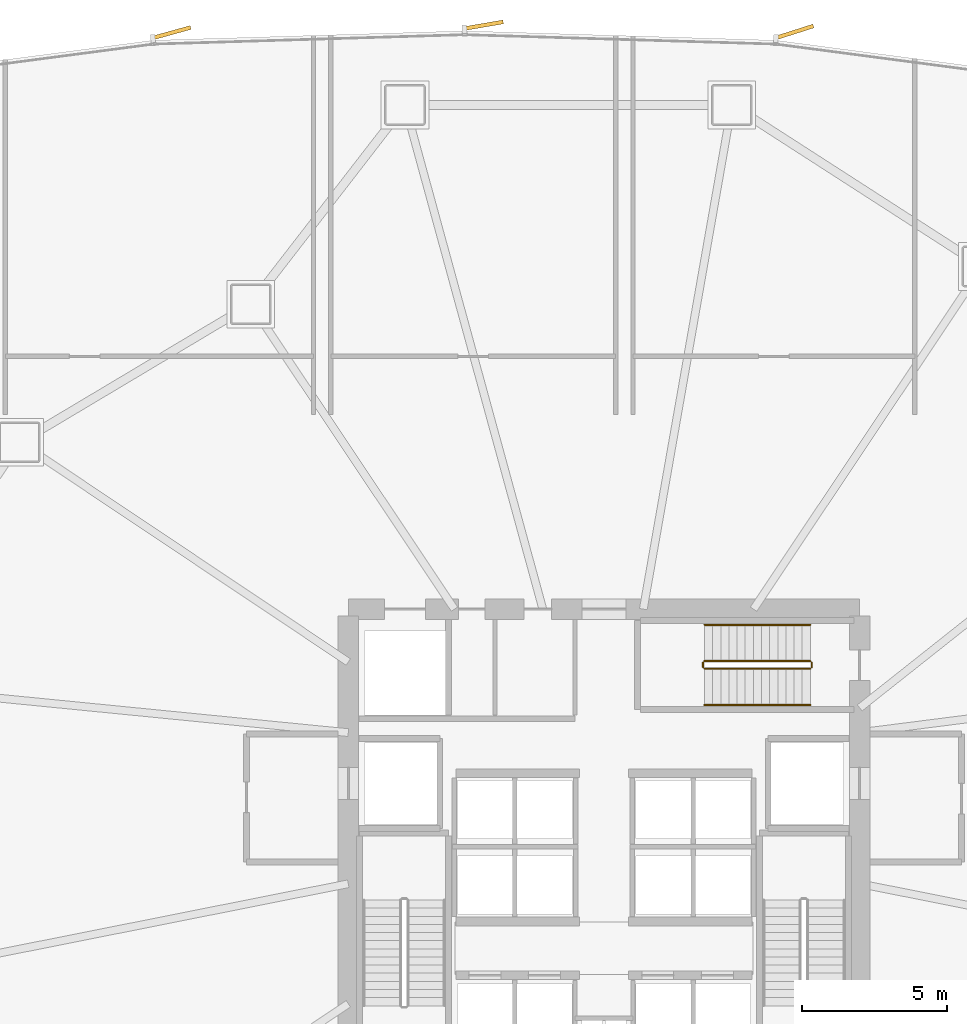
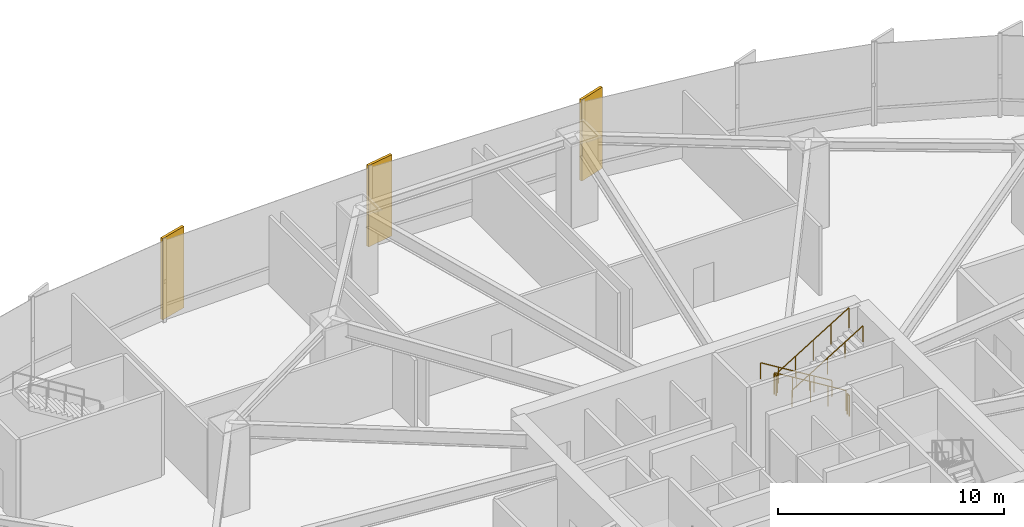
# One storey, part 33 of 34: 6 railings, 3 coverings.
"""IFC4 building model written with IfcOpenShell, lengths in metres."""

import ifcopenshell
import ifcopenshell.guid

model = None  # the IFC model being written
_history = None  # IfcOwnerHistory: only IFC2X3 demands one
_inside = {}  # id of a spatial element -> (the spatial element, [elements in it])
_under = {}  # id of a project, library or spatial element -> (it, [spatial elements below it])
_declared = {}  # id of a project -> (the project, [libraries it declares])
_typed = {}  # id of a type object -> (the type object, [elements of that type])
_made_of = {}  # id of a material, layer set ... -> (it, [elements and type objects made of it])


def new_model(schema):
    """Start an empty IFC model of exactly this schema.

    Asked for "IFC4X3", IfcOpenShell would pick the latest addendum, in which some entities
    have other attributes; the version numbers below select the first issue.
    IFC2X3 requires an IfcOwnerHistory on every rooted entity: one is made here for all.
    """
    global model, _history
    if schema == "IFC4X3":
        model = ifcopenshell.file(schema_version=(4, 3, 0, 0))
    else:
        model = ifcopenshell.file(schema=schema)
    _inside.clear()
    _under.clear()
    _declared.clear()
    _typed.clear()
    _made_of.clear()
    _history = None
    if model.schema == "IFC2X3":
        org = make("IfcOrganization", Name="unknown")
        user = make(
            "IfcPersonAndOrganization",
            ThePerson=make("IfcPerson", FamilyName="unknown"),
            TheOrganization=org,
        )
        app = make(
            "IfcApplication",
            ApplicationDeveloper=org,
            Version="unknown",
            ApplicationFullName="unknown",
            ApplicationIdentifier="unknown",
        )
        _history = make(
            "IfcOwnerHistory",
            OwningUser=user,
            OwningApplication=app,
            ChangeAction="ADDED",
            CreationDate=0,
        )
    return model


def make(cls, **values):
    """One entity of the class cls with the attributes given. An attribute that is None is left unset."""
    return model.create_entity(
        cls, **{name: value for name, value in values.items() if value is not None}
    )


def rooted(cls, **values):
    """An entity with a GlobalId (a new one), such as an element, a storey or a relation."""
    return make(cls, GlobalId=ifcopenshell.guid.new(), OwnerHistory=_history, **values)


def si_unit(unit_type, name, prefix=None):
    """IfcSIUnit, for example si_unit("LENGTHUNIT", "METRE", prefix="MILLI")."""
    return make("IfcSIUnit", UnitType=unit_type, Prefix=prefix, Name=name)


def assignment(units):
    """IfcUnitAssignment: the units of a project."""
    return None if units is None else make("IfcUnitAssignment", Units=units)


def point(xyz):
    """IfcCartesianPoint."""
    return None if xyz is None else make("IfcCartesianPoint", Coordinates=xyz)


def direction(xyz):
    """IfcDirection."""
    return None if xyz is None else make("IfcDirection", DirectionRatios=xyz)


def frame(location, z_axis=None, x_axis=None):
    """IfcAxis2Placement3D, a coordinate frame: its origin and axes. An axis left out is left unset."""
    return make(
        "IfcAxis2Placement3D",
        Location=point(location),
        Axis=direction(z_axis),
        RefDirection=direction(x_axis),
    )


def frame_2d(location, x_axis=None):
    """IfcAxis2Placement2D, a coordinate frame in the plane: its origin and x axis."""
    return make(
        "IfcAxis2Placement2D", Location=point(location), RefDirection=direction(x_axis)
    )


def origin():
    """The frame at (0, 0, 0) with its axes left unset."""
    return frame((0.0, 0.0, 0.0))


def origin_2d():
    """The frame at (0, 0) in the plane with its x axis left unset."""
    return frame_2d((0.0, 0.0))


def place(relative_to, where):
    """IfcLocalPlacement: puts the frame where relative to a parent placement (None: the world)."""
    return make(
        "IfcLocalPlacement", PlacementRelTo=relative_to, RelativePlacement=where
    )


def context(
    kind, dimensions, precision=None, world=None, true_north=None, identifier=None
):
    """IfcGeometricRepresentationContext, for example the 3D "Model" context."""
    return make(
        "IfcGeometricRepresentationContext",
        ContextIdentifier=identifier,
        ContextType=kind,
        CoordinateSpaceDimension=dimensions,
        Precision=precision,
        WorldCoordinateSystem=world,
        TrueNorth=true_north,
    )


def subcontext(parent, identifier, kind, view, scale=None):
    """IfcGeometricRepresentationSubContext, for example "Body" below "Model"."""
    return make(
        "IfcGeometricRepresentationSubContext",
        ContextIdentifier=identifier,
        ContextType=kind,
        ParentContext=parent,
        TargetScale=scale,
        TargetView=view,
    )


def project(units=None, contexts=None):
    """IfcProject with its units and contexts."""
    return rooted(
        "IfcProject",
        Name="project",
        RepresentationContexts=contexts,
        UnitsInContext=assignment(units),
    )


def spatial(cls, under=None, at=None, **own):
    """A site, building, storey or space (cls), placed at a placement, below another one or the project."""
    s = rooted(cls, ObjectPlacement=at, **own)
    if under is not None:
        _under.setdefault(under.id(), (under, []))[1].append(s)
    return s


def profile(cls, at=None, kind="AREA", **sizes):
    """A parametric profile (cls). Its sizes go by their IFC names, for example OverallWidth=200.0."""
    return make(cls, ProfileType=kind, Position=at, **sizes)


def rectangle(**sizes):
    """IfcRectangleProfileDef."""
    return profile("IfcRectangleProfileDef", **sizes)


def circle(**sizes):
    """IfcCircleProfileDef."""
    return profile("IfcCircleProfileDef", **sizes)


def extrude(swept, where, along, depth):
    """IfcExtrudedAreaSolid: the profile swept, set in the frame where, extruded along a direction by depth."""
    return make(
        "IfcExtrudedAreaSolid",
        SweptArea=swept,
        Position=where,
        ExtrudedDirection=direction(along),
        Depth=depth,
    )


def shape(context_of_items, identifier, shape_type, items):
    """IfcShapeRepresentation: the items that make up one representation, for example the "Body"."""
    return make(
        "IfcShapeRepresentation",
        ContextOfItems=context_of_items,
        RepresentationIdentifier=identifier,
        RepresentationType=shape_type,
        Items=items,
    )


def source(mapping_origin, context_of_items, identifier, shape_type, items):
    """IfcRepresentationMap: a shape defined once, which mapped items show again and again."""
    return make(
        "IfcRepresentationMap",
        MappingOrigin=mapping_origin,
        MappedRepresentation=shape(context_of_items, identifier, shape_type, items),
    )


def transform(
    local_origin,
    x_axis=None,
    y_axis=None,
    z_axis=None,
    scale=None,
    scale2=None,
    scale3=None,
    uniform=True,
):
    """IfcCartesianTransformationOperator3D, or its non-uniform kind. x_axis, y_axis, z_axis: its Axis1, 2, 3."""
    if uniform:
        return make(
            "IfcCartesianTransformationOperator3D",
            Axis1=direction(x_axis),
            Axis2=direction(y_axis),
            LocalOrigin=point(local_origin),
            Scale=scale,
            Axis3=direction(z_axis),
        )
    return make(
        "IfcCartesianTransformationOperator3DnonUniform",
        Axis1=direction(x_axis),
        Axis2=direction(y_axis),
        LocalOrigin=point(local_origin),
        Scale=scale,
        Axis3=direction(z_axis),
        Scale2=scale2,
        Scale3=scale3,
    )


def mapped(mapping_source, mapping_target):
    """IfcMappedItem: shows the shape of a source again, moved by a transform."""
    return make(
        "IfcMappedItem", MappingSource=mapping_source, MappingTarget=mapping_target
    )


def material(Name=None, Category=None):
    """IfcMaterial."""
    return make("IfcMaterial", Name=Name, Category=Category)


def layer(
    of_material, thickness, ventilated=None, Name=None, Category=None, Priority=None
):
    """IfcMaterialLayer: one layer of a wall or slab, of a material (None: an air gap)."""
    return make(
        "IfcMaterialLayer",
        Material=of_material,
        LayerThickness=thickness,
        IsVentilated=ventilated,
        Name=Name,
        Category=Category,
        Priority=Priority,
    )


def layer_set(layers, Name=None):
    """IfcMaterialLayerSet."""
    return make("IfcMaterialLayerSet", MaterialLayers=layers, LayerSetName=Name)


def made_of(thing, what):
    """Note that an element or type object is made of a material, layer set ...; save() writes the relation."""
    if what is not None:
        _made_of.setdefault(what.id(), (what, []))[1].append(thing)
    return thing


def type_object(cls, material=None, **own):
    """A type object (cls), such as IfcWallType, which elements share."""
    return made_of(rooted(cls, **own), material)


def element(
    cls,
    number,
    at=None,
    inside=None,
    cuts=None,
    type_object=None,
    material=None,
    context=None,
    identifier="Body",
    shape_type=None,
    held_by="IfcProductDefinitionShape",
    body=None,
    shapes=None,
    **own,
):
    """One element of the class cls, such as IfcWall. Its Tag is "e" and its number.

    at: its placement. inside: the storey or other place that contains it. cuts: it is an
    opening in that element (IfcRelVoidsElement). A single representation is given by context,
    identifier, shape_type and body (its items); several are given by shapes. held_by: the class
    of the entity that holds the representations. save() writes the other relations.
    """
    e = rooted(cls, Tag="e%d" % number, ObjectPlacement=at, **own)
    if body is not None:
        shapes = [shape(context, identifier, shape_type, body)]
    if shapes is not None:
        e.Representation = make(held_by, Representations=shapes)
    if inside is not None:
        _inside.setdefault(inside.id(), (inside, []))[1].append(e)
    if cuts is not None:
        rooted(
            "IfcRelVoidsElement", RelatingBuildingElement=cuts, RelatedOpeningElement=e
        )
    if type_object is not None:
        _typed.setdefault(type_object.id(), (type_object, []))[1].append(e)
    return made_of(e, material)


def aggregate(whole, parts):
    """IfcRelAggregates: a whole, such as a stair, and the parts it consists of."""
    return rooted("IfcRelAggregates", RelatingObject=whole, RelatedObjects=parts)


def save(model, path):
    """Write the relations noted so far, then the file.

    IfcRelAggregates (storeys below a building ...), IfcRelContainedInSpatialStructure (elements
    in a storey), IfcRelDefinesByType, IfcRelAssociatesMaterial and IfcRelDeclares: one each for
    every whole, place, type object, material and project.
    """
    for whole, parts in _under.values():
        aggregate(whole, parts)
    for where, things in _inside.values():
        rooted(
            "IfcRelContainedInSpatialStructure",
            RelatedElements=things,
            RelatingStructure=where,
        )
    for kind, things in _typed.values():
        rooted("IfcRelDefinesByType", RelatedObjects=things, RelatingType=kind)
    for what, things in _made_of.values():
        rooted("IfcRelAssociatesMaterial", RelatedObjects=things, RelatingMaterial=what)
    for by, libraries in _declared.values():
        rooted("IfcRelDeclares", RelatingContext=by, RelatedDefinitions=libraries)
    model.write(path)


model = new_model("IFC4")

# Units and contexts
model_context = context("Model", 3, precision=1e-05, world=origin(), true_north=direction((0.0, 1.0)))
body_context = subcontext(model_context, "Body", "Model", "MODEL_VIEW")
ifc_project = project(units=[si_unit("LENGTHUNIT", "METRE"), si_unit("AREAUNIT", "SQUARE_METRE"), si_unit("VOLUMEUNIT", "CUBIC_METRE"), si_unit("PLANEANGLEUNIT", "RADIAN"), si_unit("MASSUNIT", "GRAM", prefix="KILO"), si_unit("THERMODYNAMICTEMPERATUREUNIT", "KELVIN")], contexts=[model_context])

# Site, building, storey
site_placement = place(None, origin())
site = spatial("IfcSite", under=ifc_project, at=site_placement, CompositionType="ELEMENT")
building_placement = place(site_placement, origin())
building = spatial("IfcBuilding", under=site, at=building_placement, Name="Kethvar Cultural Tower", CompositionType="ELEMENT")
storey_placement = place(building_placement, frame((0.0, 0.0, 14.800048828125)))
storey = spatial("IfcBuildingStorey", under=building, at=storey_placement, Name="L03", CompositionType="ELEMENT", Elevation=14.800048828125)

# Railings
ifc_material_1 = material(Name="Steel S355J2", Category="steel")
railing_type_1 = type_object("IfcRailingType", Name="RL-STAIR-GUARD", PredefinedType="BALUSTRADE", material=ifc_material_1)
railing_1_placement = place(storey_placement, frame((53.89990234375, 33.7099609375, 0.17138671875)))
element("IfcRailing", 1, at=railing_1_placement, inside=storey, type_object=railing_type_1, Name="L03 ST-03 stair guard 1", PredefinedType="BALUSTRADE", context=body_context, shape_type="SweptSolid", body=[
    extrude(circle(Radius=0.02392578125, at=origin_2d()), frame((0.0, 0.0, 1.09619140625), z_axis=(-0.852850264322, 0.0, 0.5221555579), x_axis=(0.0, -1.0, 0.0)), (0.0, 0.0, 1.0), 4.267822265625),
    extrude(circle(Radius=0.02099609375, at=origin_2d()), origin(), (0.0, 0.0, 1.0), 1.072021484375),
    extrude(circle(Radius=0.02099609375, at=origin_2d()), frame((-0.909912109375, 0.0, 0.55712890625)), (0.0, 0.0, 1.0), 1.072021484375),
    extrude(circle(Radius=0.02099609375, at=origin_2d()), frame((-1.81982421875, 0.0, 1.1142578125)), (0.0, 0.0, 1.0), 1.072021484375),
    extrude(circle(Radius=0.02099609375, at=origin_2d()), frame((-2.72998046875, 0.0, 1.67138671875)), (0.0, 0.0, 1.0), 1.072021484375),
    extrude(circle(Radius=0.02099609375, at=origin_2d()), frame((-3.639892578125, 0.0, 2.228515625)), (0.0, 0.0, 1.0), 1.072021484375),
])
railing_2_placement = place(storey_placement, frame((50.2099609375, 33.659912109375, 2.39990234375)))
element("IfcRailing", 2, at=railing_2_placement, inside=storey, type_object=railing_type_1, Name="L03 ST-03 stair guard 2", PredefinedType="BALUSTRADE", context=body_context, shape_type="SweptSolid", body=[
    extrude(circle(Radius=0.02392578125, at=origin_2d()), frame((0.0, 0.0, 1.09619140625), z_axis=(0.0, -1.0, 0.0), x_axis=(1.0, 0.0, 0.0)), (0.0, 0.0, 1.0), 0.159912109375),
    extrude(circle(Radius=0.02099609375, at=origin_2d()), origin(), (0.0, 0.0, 1.0), 1.072021484375),
    extrude(circle(Radius=0.02099609375, at=origin_2d()), frame((0.0, -0.159912109375, 0.0)), (0.0, 0.0, 1.0), 1.072021484375),
])
railing_3_placement = place(storey_placement, frame((50.260009765625, 33.449951171875, 2.5712890625)))
element("IfcRailing", 3, at=railing_3_placement, inside=storey, type_object=railing_type_1, Name="L03 ST-03 stair guard 3", PredefinedType="BALUSTRADE", context=body_context, shape_type="SweptSolid", body=[
    extrude(circle(Radius=0.02392578125, at=origin_2d()), frame((0.0, 0.0, 1.09619140625), z_axis=(0.852824790078, 0.0, 0.522197163366), x_axis=(0.0, 1.0, 0.0)), (0.0, 0.0, 1.0), 4.26806640625),
    extrude(circle(Radius=0.02099609375, at=origin_2d()), origin(), (0.0, 0.0, 1.0), 1.072021484375),
    extrude(circle(Radius=0.02099609375, at=origin_2d()), frame((0.909912109375, 0.0, 0.55712890625)), (0.0, 0.0, 1.0), 1.072021484375),
    extrude(circle(Radius=0.02099609375, at=origin_2d()), frame((1.81982421875, 0.0, 1.1142578125)), (0.0, 0.0, 1.0), 1.072021484375),
    extrude(circle(Radius=0.02099609375, at=origin_2d()), frame((2.72998046875, 0.0, 1.671630859375)), (0.0, 0.0, 1.0), 1.072021484375),
    extrude(circle(Radius=0.02099609375, at=origin_2d()), frame((3.639892578125, 0.0, 2.228759765625)), (0.0, 0.0, 1.0), 1.072021484375),
])
railing_4_placement = place(storey_placement, frame((53.949951171875, 33.659912109375, 0.0)))
element("IfcRailing", 4, at=railing_4_placement, inside=storey, type_object=railing_type_1, Name="L03 ST-03 stair guard 4", PredefinedType="BALUSTRADE", context=body_context, shape_type="SweptSolid", body=[
    extrude(circle(Radius=0.02392578125, at=origin_2d()), frame((0.0, 0.0, 1.09619140625), z_axis=(0.0, -1.0, 0.0), x_axis=(1.0, 0.0, 0.0)), (0.0, 0.0, 1.0), 0.159912109375),
    extrude(circle(Radius=0.02099609375, at=origin_2d()), origin(), (0.0, 0.0, 1.0), 1.072021484375),
    extrude(circle(Radius=0.02099609375, at=origin_2d()), frame((0.0, -0.159912109375, 0.0)), (0.0, 0.0, 1.0), 1.072021484375),
])
railing_type_2 = type_object("IfcRailingType", Name="RL-STAIR-HANDRAIL", PredefinedType="HANDRAIL", material=ifc_material_1)
railing_5_placement = place(storey_placement, frame((53.89990234375, 34.9599609375, 0.17138671875)))
element("IfcRailing", 5, at=railing_5_placement, inside=storey, type_object=railing_type_2, Name="L03 ST-03 stair handrail 1", PredefinedType="HANDRAIL", context=body_context, shape_type="SweptSolid", body=[
    extrude(circle(Radius=0.02392578125, at=origin_2d()), frame((0.0, 0.0, 0.8759765625), z_axis=(-0.852850264322, 0.0, 0.5221555579), x_axis=(0.0, -1.0, 0.0)), (0.0, 0.0, 1.0), 4.267822265625),
    extrude(circle(Radius=0.02099609375, at=origin_2d()), origin(), (0.0, 0.0, 1.0), 0.851806640625),
    extrude(circle(Radius=0.02099609375, at=origin_2d()), frame((-0.909912109375, 0.0, 0.55712890625)), (0.0, 0.0, 1.0), 0.851806640625),
    extrude(circle(Radius=0.02099609375, at=origin_2d()), frame((-1.81982421875, 0.0, 1.1142578125)), (0.0, 0.0, 1.0), 0.851806640625),
    extrude(circle(Radius=0.02099609375, at=origin_2d()), frame((-2.72998046875, 0.0, 1.67138671875)), (0.0, 0.0, 1.0), 0.851806640625),
    extrude(circle(Radius=0.02099609375, at=origin_2d()), frame((-3.639892578125, 0.0, 2.228515625)), (0.0, 0.0, 1.0), 0.851806640625),
])
railing_6_placement = place(storey_placement, frame((50.260009765625, 32.199951171875, 2.5712890625)))
element("IfcRailing", 6, at=railing_6_placement, inside=storey, type_object=railing_type_2, Name="L03 ST-03 stair handrail 2", PredefinedType="HANDRAIL", context=body_context, shape_type="SweptSolid", body=[
    extrude(circle(Radius=0.02392578125, at=origin_2d()), frame((0.0, 0.0, 0.8759765625), z_axis=(0.852824790078, 0.0, 0.522197163366), x_axis=(0.0, 1.0, 0.0)), (0.0, 0.0, 1.0), 4.26806640625),
    extrude(circle(Radius=0.02099609375, at=origin_2d()), origin(), (0.0, 0.0, 1.0), 0.851806640625),
    extrude(circle(Radius=0.02099609375, at=origin_2d()), frame((0.909912109375, 0.0, 0.55712890625)), (0.0, 0.0, 1.0), 0.851806640625),
    extrude(circle(Radius=0.02099609375, at=origin_2d()), frame((1.81982421875, 0.0, 1.1142578125)), (0.0, 0.0, 1.0), 0.851806640625),
    extrude(circle(Radius=0.02099609375, at=origin_2d()), frame((2.72998046875, 0.0, 1.671630859375)), (0.0, 0.0, 1.0), 0.851806640625),
    extrude(circle(Radius=0.02099609375, at=origin_2d()), frame((3.639892578125, 0.0, 2.228759765625)), (0.0, 0.0, 1.0), 0.851806640625),
])

# Coverings
ifc_material_2 = material(Name="Extruded Architectural Terracotta", Category="masonry")
ifc_layer = layer(ifc_material_2, 0.135009765625, Name="Extruded Architectural Terracotta", Category="masonry")
ifc_layer_set = layer_set([ifc_layer], Name="Extruded Architectural Terracotta (135 mm)")
covering_type = type_object("IfcCoveringType", Name="Terracotta Facade Fin FIN-04", PredefinedType="CLADDING", material=ifc_layer_set)
shared_shape = source(origin(), body_context, "Body", "SweptSolid", [
    extrude(rectangle(XDim=1.35009765625, YDim=0.135009765625, at=origin_2d()), origin(), (0.0, 0.0, 1.0), 4.39990234375),
])
for number, where, z_axis, x_axis, name in (
    (7, (53.361328125, 55.3623046875, 0.02001953125), (0.0, 0.0, 1.0), (0.952555295657, 0.304365583986, 0.0), "L03 Vertical Terracotta Fin 2.3"),
    (8, (42.662841796875, 55.593994140625, 0.02001953125), (0.0, 0.0, 1.0), (0.985615113142, 0.169005469575, 0.0), "L03 Vertical Terracotta Fin 2.4"),
    (9, (31.924072265625, 55.336669921875, 0.02001953125), (0.0, 0.0, 1.0), (0.963583796636, 0.267406557249, 0.0), "L03 Vertical Terracotta Fin 2.5"),
):
    element("IfcCovering", number, at=place(storey_placement, frame(where, z_axis=z_axis, x_axis=x_axis)), inside=storey, type_object=covering_type, Name=name, PredefinedType="CLADDING", context=body_context, shape_type="MappedRepresentation", body=[
        mapped(shared_shape, transform((0.0, 0.0, 0.0), scale=1.0)),
    ])

save(model, "model.ifc")
